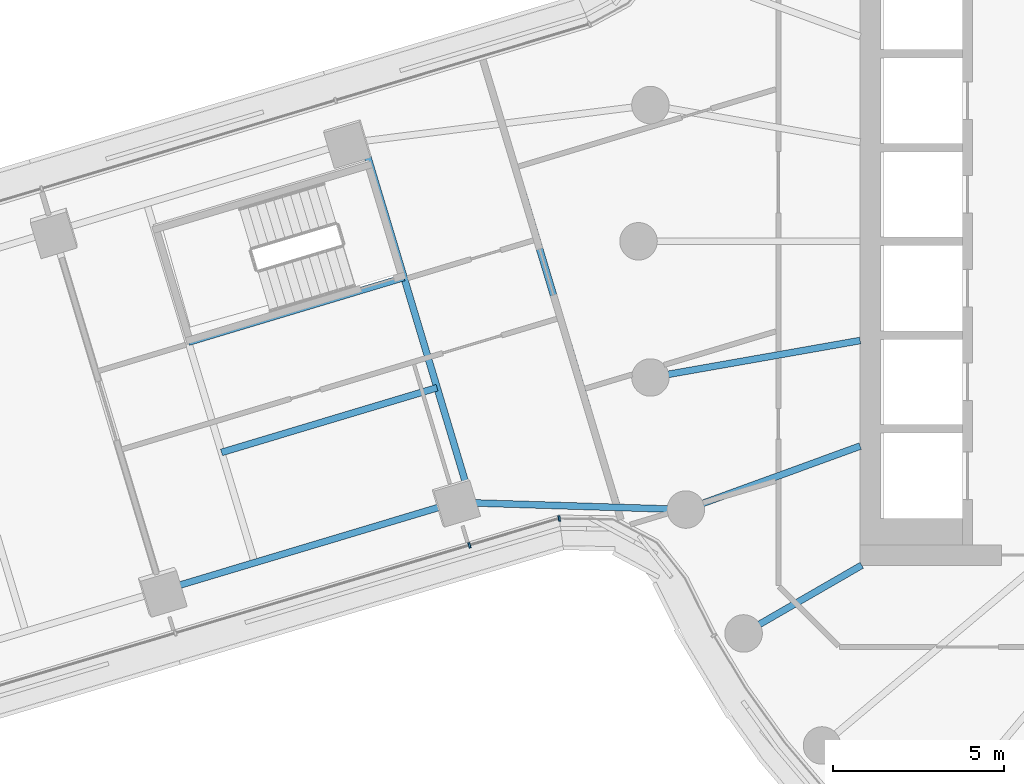
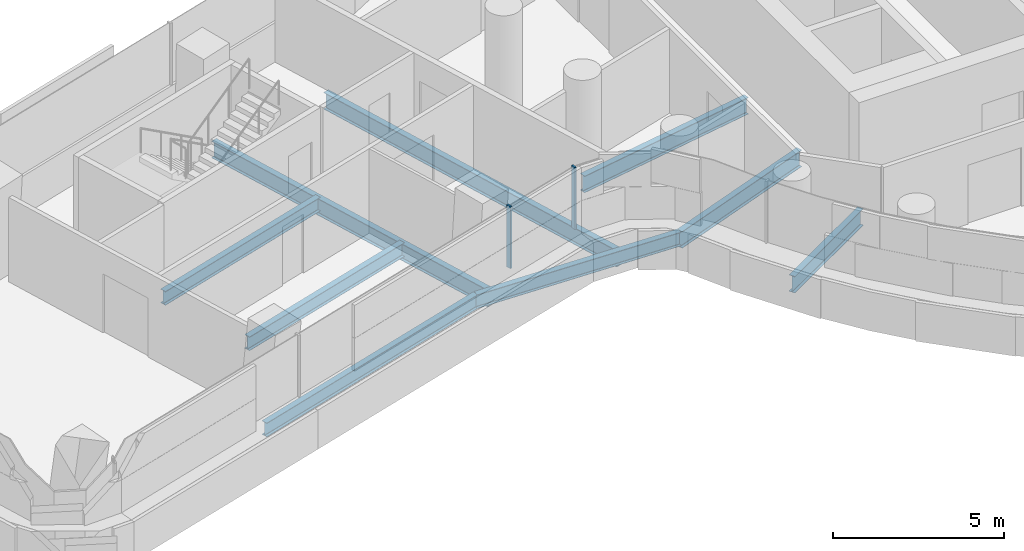
# One storey, part 5 of 32: 9 beams, 2 members, 2 elements without a shape of their own.
"""IFC4 building model written with IfcOpenShell, lengths in metres."""

import ifcopenshell
import ifcopenshell.guid

model = None  # the IFC model being written
_history = None  # IfcOwnerHistory: only IFC2X3 demands one
_inside = {}  # id of a spatial element -> (the spatial element, [elements in it])
_under = {}  # id of a project, library or spatial element -> (it, [spatial elements below it])
_declared = {}  # id of a project -> (the project, [libraries it declares])
_typed = {}  # id of a type object -> (the type object, [elements of that type])
_made_of = {}  # id of a material, layer set ... -> (it, [elements and type objects made of it])


def new_model(schema):
    """Start an empty IFC model of exactly this schema.

    Asked for "IFC4X3", IfcOpenShell would pick the latest addendum, in which some entities
    have other attributes; the version numbers below select the first issue.
    IFC2X3 requires an IfcOwnerHistory on every rooted entity: one is made here for all.
    """
    global model, _history
    if schema == "IFC4X3":
        model = ifcopenshell.file(schema_version=(4, 3, 0, 0))
    else:
        model = ifcopenshell.file(schema=schema)
    _inside.clear()
    _under.clear()
    _declared.clear()
    _typed.clear()
    _made_of.clear()
    _history = None
    if model.schema == "IFC2X3":
        org = make("IfcOrganization", Name="unknown")
        user = make(
            "IfcPersonAndOrganization",
            ThePerson=make("IfcPerson", FamilyName="unknown"),
            TheOrganization=org,
        )
        app = make(
            "IfcApplication",
            ApplicationDeveloper=org,
            Version="unknown",
            ApplicationFullName="unknown",
            ApplicationIdentifier="unknown",
        )
        _history = make(
            "IfcOwnerHistory",
            OwningUser=user,
            OwningApplication=app,
            ChangeAction="ADDED",
            CreationDate=0,
        )
    return model


def make(cls, **values):
    """One entity of the class cls with the attributes given. An attribute that is None is left unset."""
    return model.create_entity(
        cls, **{name: value for name, value in values.items() if value is not None}
    )


def rooted(cls, **values):
    """An entity with a GlobalId (a new one), such as an element, a storey or a relation."""
    return make(cls, GlobalId=ifcopenshell.guid.new(), OwnerHistory=_history, **values)


def si_unit(unit_type, name, prefix=None):
    """IfcSIUnit, for example si_unit("LENGTHUNIT", "METRE", prefix="MILLI")."""
    return make("IfcSIUnit", UnitType=unit_type, Prefix=prefix, Name=name)


def assignment(units):
    """IfcUnitAssignment: the units of a project."""
    return None if units is None else make("IfcUnitAssignment", Units=units)


def point(xyz):
    """IfcCartesianPoint."""
    return None if xyz is None else make("IfcCartesianPoint", Coordinates=xyz)


def direction(xyz):
    """IfcDirection."""
    return None if xyz is None else make("IfcDirection", DirectionRatios=xyz)


def frame(location, z_axis=None, x_axis=None):
    """IfcAxis2Placement3D, a coordinate frame: its origin and axes. An axis left out is left unset."""
    return make(
        "IfcAxis2Placement3D",
        Location=point(location),
        Axis=direction(z_axis),
        RefDirection=direction(x_axis),
    )


def frame_2d(location, x_axis=None):
    """IfcAxis2Placement2D, a coordinate frame in the plane: its origin and x axis."""
    return make(
        "IfcAxis2Placement2D", Location=point(location), RefDirection=direction(x_axis)
    )


def origin():
    """The frame at (0, 0, 0) with its axes left unset."""
    return frame((0.0, 0.0, 0.0))


def origin_2d():
    """The frame at (0, 0) in the plane with its x axis left unset."""
    return frame_2d((0.0, 0.0))


def place(relative_to, where):
    """IfcLocalPlacement: puts the frame where relative to a parent placement (None: the world)."""
    return make(
        "IfcLocalPlacement", PlacementRelTo=relative_to, RelativePlacement=where
    )


def context(
    kind, dimensions, precision=None, world=None, true_north=None, identifier=None
):
    """IfcGeometricRepresentationContext, for example the 3D "Model" context."""
    return make(
        "IfcGeometricRepresentationContext",
        ContextIdentifier=identifier,
        ContextType=kind,
        CoordinateSpaceDimension=dimensions,
        Precision=precision,
        WorldCoordinateSystem=world,
        TrueNorth=true_north,
    )


def subcontext(parent, identifier, kind, view, scale=None):
    """IfcGeometricRepresentationSubContext, for example "Body" below "Model"."""
    return make(
        "IfcGeometricRepresentationSubContext",
        ContextIdentifier=identifier,
        ContextType=kind,
        ParentContext=parent,
        TargetScale=scale,
        TargetView=view,
    )


def project(units=None, contexts=None):
    """IfcProject with its units and contexts."""
    return rooted(
        "IfcProject",
        Name="project",
        RepresentationContexts=contexts,
        UnitsInContext=assignment(units),
    )


def spatial(cls, under=None, at=None, **own):
    """A site, building, storey or space (cls), placed at a placement, below another one or the project."""
    s = rooted(cls, ObjectPlacement=at, **own)
    if under is not None:
        _under.setdefault(under.id(), (under, []))[1].append(s)
    return s


def profile(cls, at=None, kind="AREA", **sizes):
    """A parametric profile (cls). Its sizes go by their IFC names, for example OverallWidth=200.0."""
    return make(cls, ProfileType=kind, Position=at, **sizes)


def rectangle(**sizes):
    """IfcRectangleProfileDef."""
    return profile("IfcRectangleProfileDef", **sizes)


def i_section(**sizes):
    """IfcIShapeProfileDef."""
    return profile("IfcIShapeProfileDef", **sizes)


def extrude(swept, where, along, depth):
    """IfcExtrudedAreaSolid: the profile swept, set in the frame where, extruded along a direction by depth."""
    return make(
        "IfcExtrudedAreaSolid",
        SweptArea=swept,
        Position=where,
        ExtrudedDirection=direction(along),
        Depth=depth,
    )


def shape(context_of_items, identifier, shape_type, items):
    """IfcShapeRepresentation: the items that make up one representation, for example the "Body"."""
    return make(
        "IfcShapeRepresentation",
        ContextOfItems=context_of_items,
        RepresentationIdentifier=identifier,
        RepresentationType=shape_type,
        Items=items,
    )


def material(Name=None, Category=None):
    """IfcMaterial."""
    return make("IfcMaterial", Name=Name, Category=Category)


def layer(
    of_material, thickness, ventilated=None, Name=None, Category=None, Priority=None
):
    """IfcMaterialLayer: one layer of a wall or slab, of a material (None: an air gap)."""
    return make(
        "IfcMaterialLayer",
        Material=of_material,
        LayerThickness=thickness,
        IsVentilated=ventilated,
        Name=Name,
        Category=Category,
        Priority=Priority,
    )


def layer_set(layers, Name=None):
    """IfcMaterialLayerSet."""
    return make("IfcMaterialLayerSet", MaterialLayers=layers, LayerSetName=Name)


def material_profile(
    of_material, cross_section, Name=None, Category=None, Priority=None
):
    """IfcMaterialProfile: a cross section and its material."""
    return make(
        "IfcMaterialProfile",
        Name=Name,
        Material=of_material,
        Profile=cross_section,
        Priority=Priority,
        Category=Category,
    )


def profile_set(profiles, Name=None, composite=None):
    """IfcMaterialProfileSet."""
    return make(
        "IfcMaterialProfileSet",
        Name=Name,
        MaterialProfiles=profiles,
        CompositeProfile=composite,
    )


def made_of(thing, what):
    """Note that an element or type object is made of a material, layer set ...; save() writes the relation."""
    if what is not None:
        _made_of.setdefault(what.id(), (what, []))[1].append(thing)
    return thing


def type_object(cls, material=None, **own):
    """A type object (cls), such as IfcWallType, which elements share."""
    return made_of(rooted(cls, **own), material)


def element(
    cls,
    number,
    at=None,
    inside=None,
    cuts=None,
    type_object=None,
    material=None,
    context=None,
    identifier="Body",
    shape_type=None,
    held_by="IfcProductDefinitionShape",
    body=None,
    shapes=None,
    **own,
):
    """One element of the class cls, such as IfcWall. Its Tag is "e" and its number.

    at: its placement. inside: the storey or other place that contains it. cuts: it is an
    opening in that element (IfcRelVoidsElement). A single representation is given by context,
    identifier, shape_type and body (its items); several are given by shapes. held_by: the class
    of the entity that holds the representations. save() writes the other relations.
    """
    e = rooted(cls, Tag="e%d" % number, ObjectPlacement=at, **own)
    if body is not None:
        shapes = [shape(context, identifier, shape_type, body)]
    if shapes is not None:
        e.Representation = make(held_by, Representations=shapes)
    if inside is not None:
        _inside.setdefault(inside.id(), (inside, []))[1].append(e)
    if cuts is not None:
        rooted(
            "IfcRelVoidsElement", RelatingBuildingElement=cuts, RelatedOpeningElement=e
        )
    if type_object is not None:
        _typed.setdefault(type_object.id(), (type_object, []))[1].append(e)
    return made_of(e, material)


def aggregate(whole, parts):
    """IfcRelAggregates: a whole, such as a stair, and the parts it consists of."""
    return rooted("IfcRelAggregates", RelatingObject=whole, RelatedObjects=parts)


def save(model, path):
    """Write the relations noted so far, then the file.

    IfcRelAggregates (storeys below a building ...), IfcRelContainedInSpatialStructure (elements
    in a storey), IfcRelDefinesByType, IfcRelAssociatesMaterial and IfcRelDeclares: one each for
    every whole, place, type object, material and project.
    """
    for whole, parts in _under.values():
        aggregate(whole, parts)
    for where, things in _inside.values():
        rooted(
            "IfcRelContainedInSpatialStructure",
            RelatedElements=things,
            RelatingStructure=where,
        )
    for kind, things in _typed.values():
        rooted("IfcRelDefinesByType", RelatedObjects=things, RelatingType=kind)
    for what, things in _made_of.values():
        rooted("IfcRelAssociatesMaterial", RelatedObjects=things, RelatingMaterial=what)
    for by, libraries in _declared.values():
        rooted("IfcRelDeclares", RelatingContext=by, RelatedDefinitions=libraries)
    model.write(path)


model = new_model("IFC4")

# Units and contexts
model_context = context("Model", 3, precision=1e-05, world=origin(), true_north=direction((0.0, 1.0)))
body_context = subcontext(model_context, "Body", "Model", "MODEL_VIEW")
ifc_project = project(units=[si_unit("LENGTHUNIT", "METRE"), si_unit("AREAUNIT", "SQUARE_METRE"), si_unit("VOLUMEUNIT", "CUBIC_METRE"), si_unit("PLANEANGLEUNIT", "RADIAN"), si_unit("MASSUNIT", "GRAM", prefix="KILO")], contexts=[model_context])

# Site, building, storey
site_placement = place(None, origin())
site = spatial("IfcSite", under=ifc_project, at=site_placement, CompositionType="ELEMENT")
building_placement = place(site_placement, origin())
building = spatial("IfcBuilding", under=site, at=building_placement, Name="Tamarind Cross Interchange Tower", CompositionType="ELEMENT")
storey_placement = place(building_placement, frame((0.0, 0.0, 94.75)))
storey = spatial("IfcBuildingStorey", under=building, at=storey_placement, Name="L22", CompositionType="ELEMENT", Elevation=94.75)

# Beams
ifc_material_1 = material(Name="Steel Q355B", Category="steel")
ifc_material_profile_1 = material_profile(ifc_material_1, i_section(OverallWidth=0.198974609375, OverallDepth=0.49609375, WebThickness=0.009033203125, FlangeThickness=0.013916015625, FilletRadius=0.012939453125, at=origin_2d()), Name="HN 496x199x9x14")
ifc_profile_set_1 = profile_set([ifc_material_profile_1], Name="Steel Q355B")
beam_type_1 = type_object("IfcBeamType", Name="Composite beam HN 496x199x9x14 Q355B", PredefinedType="BEAM", material=ifc_profile_set_1)
beam_1_placement = place(storey_placement, frame((-36.98681640625, -10.24365234375, -0.387939453125), z_axis=(0.957742624103, 0.287626608604, 0.0), x_axis=(-0.287626608604, 0.957742624103, 0.0)))
element("IfcBeam", 1, at=beam_1_placement, inside=storey, type_object=beam_type_1, Name="Beam W-edgeep3", PredefinedType="BEAM", context=body_context, shape_type="SweptSolid", body=[
    extrude(i_section(OverallWidth=0.198974609375, OverallDepth=0.49609375, WebThickness=0.009033203125, FlangeThickness=0.013916015625, FilletRadius=0.012939453125, at=origin_2d()), origin(), (0.0, 0.0, 1.0), 9.0),
])
beam_2_placement = place(storey_placement, frame((-28.3671875, -7.655029296875, -0.387939453125), z_axis=(0.999510418032, -0.031287765119, 0.0), x_axis=(0.031287765119, 0.999510418032, 0.0)))
element("IfcBeam", 2, at=beam_2_placement, inside=storey, type_object=beam_type_1, Name="Beam W-linkep", PredefinedType="BEAM", context=body_context, shape_type="SweptSolid", body=[
    extrude(i_section(OverallWidth=0.198974609375, OverallDepth=0.49609375, WebThickness=0.009033203125, FlangeThickness=0.013916015625, FilletRadius=0.012939453125, at=origin_2d()), origin(), (0.0, 0.0, 1.0), 6.757568359375),
])
beam_3_placement = place(storey_placement, frame((-29.877685546875, -1.060791015625, -0.387939453125), z_axis=(-0.957740725027, -0.287632932095, 0.0), x_axis=(0.287632932095, -0.957740725027, 0.0)))
element("IfcBeam", 3, at=beam_3_placement, inside=storey, type_object=beam_type_1, Name="Beam W-tr1", PredefinedType="BEAM", context=body_context, shape_type="SweptSolid", body=[
    extrude(i_section(OverallWidth=0.198974609375, OverallDepth=0.49609375, WebThickness=0.009033203125, FlangeThickness=0.013916015625, FilletRadius=0.012939453125, at=origin_2d()), origin(), (0.0, 0.0, 1.0), 6.60009765625),
])
beam_4_placement = place(storey_placement, frame((-28.906982421875, -4.293212890625, -0.387939453125), z_axis=(-0.957737664595, -0.287643122316, 0.0), x_axis=(0.287643122316, -0.957737664595, 0.0)))
element("IfcBeam", 4, at=beam_4_placement, inside=storey, type_object=beam_type_1, Name="Beam W-stripp", PredefinedType="BEAM", context=body_context, shape_type="SweptSolid", body=[
    extrude(i_section(OverallWidth=0.198974609375, OverallDepth=0.49609375, WebThickness=0.009033203125, FlangeThickness=0.013916015625, FilletRadius=0.012939453125, at=origin_2d()), origin(), (0.0, 0.0, 1.0), 6.599853515625),
])
ifc_material_profile_2 = material_profile(ifc_material_1, i_section(OverallWidth=0.198974609375, OverallDepth=0.595947265625, WebThickness=0.010009765625, FlangeThickness=0.014892578125, FilletRadius=0.012939453125, at=origin_2d()), Name="HN 596x199x10x15")
ifc_profile_set_2 = profile_set([ifc_material_profile_2], Name="Steel Q355B")
beam_type_2 = type_object("IfcBeamType", Name="Composite beam HN 596x199x10x15 Q355B", PredefinedType="BEAM", material=ifc_profile_set_2)
beam_5_placement = place(storey_placement, frame((-22.650634765625, -3.993896484375, -0.43798828125), z_axis=(0.984809127561, 0.173640382036, 0.0), x_axis=(-0.173640382036, 0.984809127561, 0.0)))
element("IfcBeam", 5, at=beam_5_placement, inside=storey, type_object=beam_type_2, Name="Beam HH19", PredefinedType="BEAM", context=body_context, shape_type="SweptSolid", body=[
    extrude(i_section(OverallWidth=0.198974609375, OverallDepth=0.595947265625, WebThickness=0.010009765625, FlangeThickness=0.014892578125, FilletRadius=0.012939453125, at=origin_2d()), origin(), (0.0, 0.0, 1.0), 6.24560546875),
])
beam_6_placement = place(storey_placement, frame((-21.613037109375, -7.866455078125, -0.43798828125), z_axis=(0.939701685589, 0.341995236956, 0.0), x_axis=(-0.341995236956, 0.939701685589, 0.0)))
element("IfcBeam", 6, at=beam_6_placement, inside=storey, type_object=beam_type_2, Name="Beam HH20", PredefinedType="BEAM", context=body_context, shape_type="SweptSolid", body=[
    extrude(i_section(OverallWidth=0.198974609375, OverallDepth=0.595947265625, WebThickness=0.010009765625, FlangeThickness=0.014892578125, FilletRadius=0.012939453125, at=origin_2d()), origin(), (0.0, 0.0, 1.0), 5.441162109375),
])
beam_7_placement = place(storey_placement, frame((-19.918701171875, -11.5, -0.43798828125), z_axis=(0.866026010844, 0.49999894854, 0.0), x_axis=(-0.49999894854, 0.866026010844, 0.0)))
element("IfcBeam", 7, at=beam_7_placement, inside=storey, type_object=beam_type_2, Name="Beam HH21", PredefinedType="BEAM", context=body_context, shape_type="SweptSolid", body=[
    extrude(i_section(OverallWidth=0.198974609375, OverallDepth=0.595947265625, WebThickness=0.010009765625, FlangeThickness=0.014892578125, FilletRadius=0.012939453125, at=origin_2d()), origin(), (0.0, 0.0, 1.0), 4.0),
])
ifc_material_profile_3 = material_profile(ifc_material_1, i_section(OverallWidth=0.199951171875, OverallDepth=0.60009765625, WebThickness=0.010986328125, FlangeThickness=0.01708984375, FilletRadius=0.012939453125, at=origin_2d()), Name="HN 600x200x11x17")
ifc_profile_set_3 = profile_set([ifc_material_profile_3], Name="Steel Q355B")
beam_type_3 = type_object("IfcBeamType", Name="Composite beam HN 600x200x11x17 Q355B", PredefinedType="BEAM", material=ifc_profile_set_3)
beam_8_placement = place(storey_placement, frame((-31.078369140625, 2.93701171875, -0.43994140625), z_axis=(0.287635056303, -0.957740087073, 0.0), x_axis=(0.957740087073, 0.287635056303, 0.0)))
element("IfcBeam", 8, at=beam_8_placement, inside=storey, type_object=beam_type_3, Name="Beam W-x298", PredefinedType="BEAM", context=body_context, shape_type="SweptSolid", body=[
    extrude(i_section(OverallWidth=0.199951171875, OverallDepth=0.60009765625, WebThickness=0.010986328125, FlangeThickness=0.01708984375, FilletRadius=0.012939453125, at=origin_2d()), origin(), (0.0, 0.0, 1.0), 11.074951171875),
])
beam_9_placement = place(storey_placement, frame((-27.003173828125, 3.447998046875, -0.43994140625), z_axis=(0.287637670414, -0.957739301981, 0.0), x_axis=(0.957739301981, 0.287637670414, 0.0)))
element("IfcBeam", 9, at=beam_9_placement, inside=storey, type_object=beam_type_3, Name="Beam W-x258", PredefinedType="BEAM", context=body_context, shape_type="SweptSolid", body=[
    extrude(i_section(OverallWidth=0.199951171875, OverallDepth=0.60009765625, WebThickness=0.010986328125, FlangeThickness=0.01708984375, FilletRadius=0.012939453125, at=origin_2d()), origin(), (0.0, 0.0, 1.0), 11.748046875),
])

# Curtain wall, member
ifc_material_2 = material(Name="Aluminium 6063-T6", Category="aluminium")
ifc_layer = layer(ifc_material_2, 0.159912109375)
ifc_layer_set = layer_set([ifc_layer], Name="Aluminium 6063-T6")
curtain_wall_type = type_object("IfcCurtainWallType", Name="Office curtain wall, 9.0 m bays", PredefinedType="NOTDEFINED", material=ifc_layer_set)
curtain_wall_1_placement = place(storey_placement, origin())
curtain_wall_1 = element("IfcCurtainWall", 10, at=curtain_wall_1_placement, inside=storey, type_object=curtain_wall_type, Name="CWS-L22-05", PredefinedType="NOTDEFINED")
ifc_material_profile_4 = material_profile(ifc_material_2, rectangle(XDim=0.06005859375, YDim=0.159912109375, at=origin_2d()), Name="Mullion CW1")
ifc_profile_set_4 = profile_set([ifc_material_profile_4], Name="Aluminium 6063-T6")
member_type = type_object("IfcMemberType", Name="Mullion CW1", PredefinedType="MULLION", material=ifc_profile_set_4)
member_1_placement = place(storey_placement, frame((-27.957275390625, -8.913818359375, 1.39990234375), z_axis=(0.0, 0.0, 1.0), x_axis=(0.958138695884, 0.286304452373, 0.0)))
member_1 = element("IfcMember", 11, at=member_1_placement, type_object=member_type, Name="CWM-L22-05-02", PredefinedType="MULLION", context=body_context, shape_type="SweptSolid", body=[
    extrude(rectangle(XDim=0.06005859375, YDim=0.159912109375, at=origin_2d()), origin(), (0.0, 0.0, 1.0), 2.210205078125),
])
aggregate(curtain_wall_1, [member_1])

curtain_wall_2_placement = place(storey_placement, origin())
curtain_wall_2 = element("IfcCurtainWall", 12, at=curtain_wall_2_placement, inside=storey, type_object=curtain_wall_type, Name="CWS-L22-06", PredefinedType="NOTDEFINED")
member_2_placement = place(storey_placement, frame((-25.3251953125, -8.12744140625, 1.39990234375), z_axis=(0.0, 0.0, 1.0), x_axis=(0.990496214225, 0.137539992752, 0.0)))
member_2 = element("IfcMember", 13, at=member_2_placement, type_object=member_type, Name="CWM-L22-06-00", PredefinedType="MULLION", context=body_context, shape_type="SweptSolid", body=[
    extrude(rectangle(XDim=0.06005859375, YDim=0.159912109375, at=origin_2d()), origin(), (0.0, 0.0, 1.0), 2.210205078125),
])
aggregate(curtain_wall_2, [member_2])

save(model, "model.ifc")
